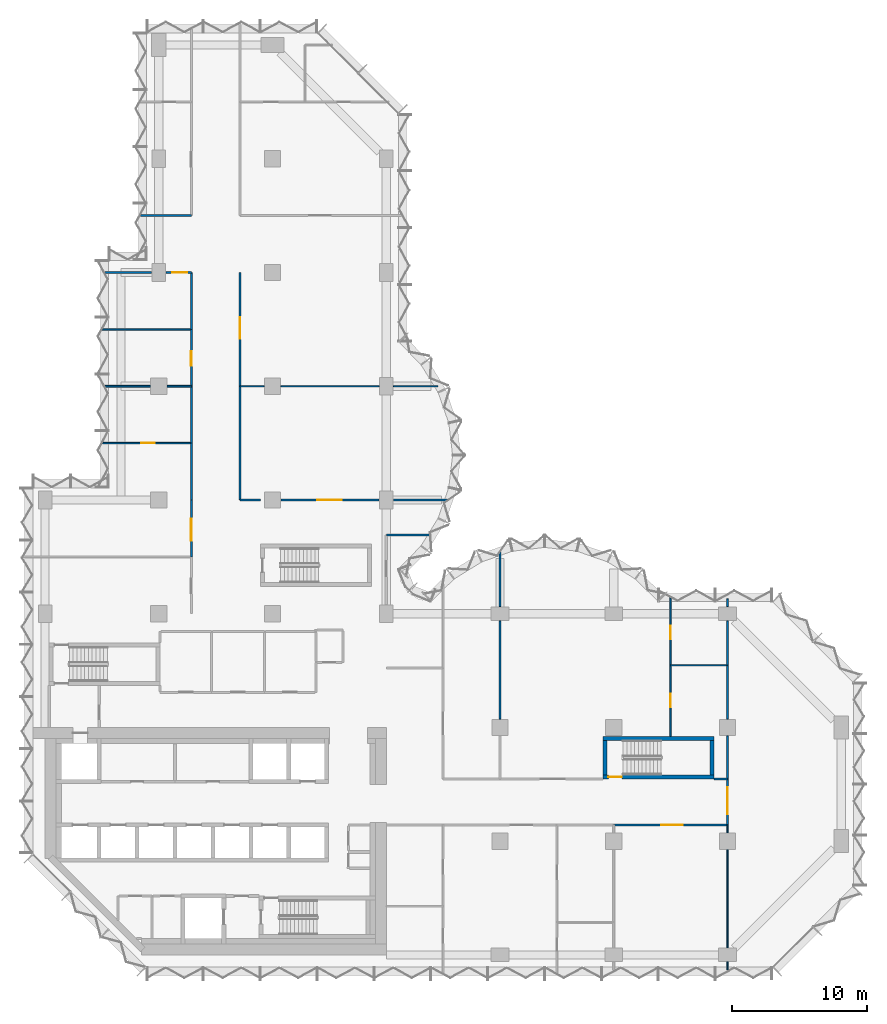
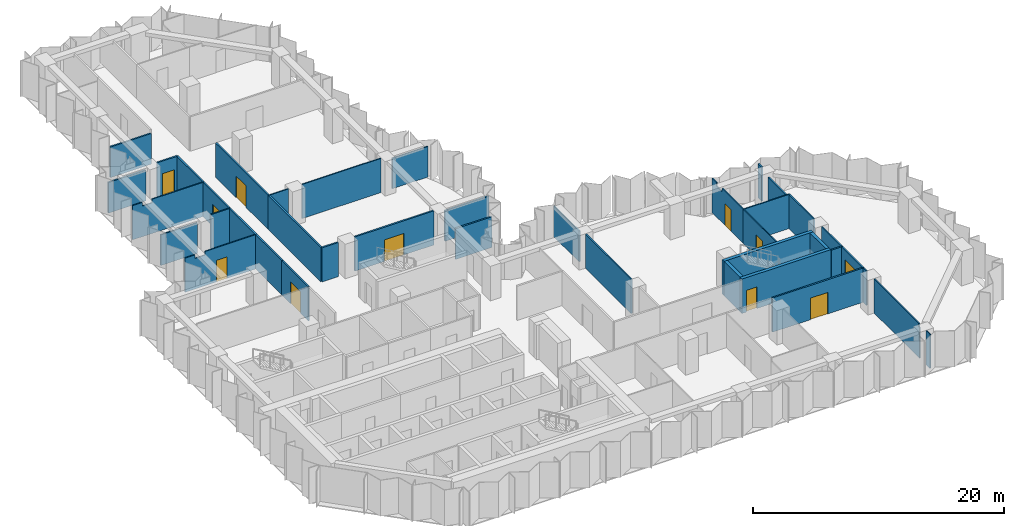
# One storey, part 8 of 11: 40 walls, 11 doors, 11 openings.
"""IFC4 building model written with IfcOpenShell, lengths in metres."""

from ifc_helpers import new_model, si_unit, direction, frame, frame_2d, origin, place, context, subcontext, project, spatial, polyline, rectangle, outline, extrude, material, layer, layer_set, type_object, element, fill, save


model = new_model("IFC4")

# Units and contexts
model_context = context("Model", 3, precision=1e-05, world=origin(), true_north=direction((0.0, 1.0)))
body_context = subcontext(model_context, "Body", "Model", "MODEL_VIEW")
ifc_project = project(units=[si_unit("LENGTHUNIT", "METRE"), si_unit("AREAUNIT", "SQUARE_METRE"), si_unit("VOLUMEUNIT", "CUBIC_METRE"), si_unit("PLANEANGLEUNIT", "RADIAN"), si_unit("MASSUNIT", "GRAM", prefix="KILO")], contexts=[model_context])

# Site, building, storey
site_placement = place(None, origin())
site = spatial("IfcSite", under=ifc_project, at=site_placement, CompositionType="ELEMENT")
building_placement = place(site_placement, origin())
building = spatial("IfcBuilding", under=site, at=building_placement, Name="Brevane Broadcast Tower", CompositionType="ELEMENT")
storey_placement = place(building_placement, frame((0.0, 0.0, 138.5)))
storey = spatial("IfcBuildingStorey", under=building, at=storey_placement, Name="L34", CompositionType="ELEMENT", Elevation=138.5)

# Wall, opening, door
ifc_material_1 = material(Name="Concrete C60/75", Category="concrete")
ifc_layer_1 = layer(ifc_material_1, 0.300048828125)
ifc_layer_set_1 = layer_set([ifc_layer_1], Name="Core wall 300 mm C60/75")
wall_type_1 = type_object("IfcWallType", Name="Core wall 300 mm C60/75", PredefinedType="SHEAR", material=ifc_layer_set_1)
wall_1_placement = place(storey_placement, frame((49.39990234375, 13.14990234375, 0.0), z_axis=(0.0, 0.0, 1.0), x_axis=(-1.0, 0.0, 0.0)))
wall_1 = element("IfcWall", 1, at=wall_1_placement, inside=storey, type_object=wall_type_1, Name="L34 stair wall ST-4-S", PredefinedType="SHEAR", context=body_context, shape_type="SweptSolid", body=[
    extrude(rectangle(XDim=8.199951171875, YDim=0.300048828125, at=frame_2d((4.10009765625, 0.0))), origin(), (0.0, 0.0, 1.0), 3.35009765625),
])
opening_1_placement = place(wall_1_placement, frame((6.800048828125, 0.0, 0.0)))
opening_1 = element("IfcOpeningElement", 2, at=opening_1_placement, cuts=wall_1, Name="Opening L34-K15", PredefinedType="OPENING", context=body_context, shape_type="SweptSolid", body=[
    extrude(rectangle(XDim=1.0, YDim=2.10009765625, at=frame_2d((0.5, 1.050048828125))), frame((0.0, 0.159912109375, 0.0), z_axis=(0.0, -1.0, 0.0), x_axis=(1.0, 0.0, 0.0)), (0.0, 0.0, 1.0), 0.320068359375),
])
ifc_material_2 = material(Name="Steel", Category="steel")
door_type_1 = type_object("IfcDoorType", Name="Stair door 1000 x 2100", OperationType="SINGLE_SWING_LEFT", PredefinedType="DOOR", material=ifc_material_2)
door_1_placement = place(opening_1_placement, origin())
door_1 = element("IfcDoor", 3, at=door_1_placement, inside=storey, type_object=door_type_1, Name="Door L34-K15", OperationType="SINGLE_SWING_LEFT", OverallHeight=2.10009765625, OverallWidth=1.0, PredefinedType="DOOR", context=body_context, shape_type="SweptSolid", body=[
    extrude(rectangle(XDim=1.0, YDim=2.10009765625, at=frame_2d((0.5, 1.050048828125))), frame((0.0, 0.02490234375, 0.0), z_axis=(0.0, -1.0, 0.0), x_axis=(1.0, 0.0, 0.0)), (0.0, 0.0, 1.0), 0.050048828125),
])
fill(opening_1, door_1)

# Walls
wall_2_placement = place(storey_placement, frame((41.199951171875, 16.0, 0.0), z_axis=(0.0, 0.0, 1.0), x_axis=(1.0, 0.0, 0.0)))
element("IfcWall", 4, at=wall_2_placement, inside=storey, type_object=wall_type_1, Name="L34 stair wall ST-4-N", PredefinedType="SHEAR", context=body_context, shape_type="SweptSolid", body=[
    extrude(rectangle(XDim=8.199951171875, YDim=0.300048828125, at=frame_2d((4.10009765625, 0.0))), origin(), (0.0, 0.0, 1.0), 3.35009765625),
])
for number, where, z_axis, x_axis, name in (
    (5, (41.35009765625, 13.300048828125, 0.0), (0.0, 0.0, 1.0), (0.0, 1.0, 0.0), "L34 stair wall ST-4-W"),
    (6, (49.25, 13.300048828125, 0.0), (0.0, 0.0, 1.0), (0.0, 1.0, 0.0), "L34 stair wall ST-4-E"),
):
    element("IfcWall", number, at=place(storey_placement, frame(where, z_axis=z_axis, x_axis=x_axis)), inside=storey, type_object=wall_type_1, Name=name, PredefinedType="SHEAR", context=body_context, shape_type="SweptSolid", body=[
        extrude(rectangle(XDim=2.550048828125, YDim=0.300048828125, at=frame_2d((1.27490234375, 0.0))), origin(), (0.0, 0.0, 1.0), 3.35009765625),
    ])
ifc_material_3 = material(Name="Gypsum board partition")
ifc_layer_2 = layer(ifc_material_3, 0.10009765625)
ifc_layer_set_2 = layer_set([ifc_layer_2], Name="PARTITION 100 STUD")
wall_type_2 = type_object("IfcWallType", Name="PARTITION 100 STUD", PredefinedType="PARTITIONING", material=ifc_layer_set_2)
wall_3_placement = place(storey_placement, frame((50.39990234375, -1.10009765625, 0.0), z_axis=(0.0, 0.0, 1.0), x_axis=(0.0, 1.0, 0.0)))
element("IfcWall", 7, at=wall_3_placement, inside=storey, type_object=wall_type_2, Name="Partition G10-014", PredefinedType="PARTITIONING", context=body_context, shape_type="SweptSolid", body=[
    extrude(rectangle(XDim=0.580078125, YDim=0.10009765625, at=frame_2d((0.2900390625, 0.0))), origin(), (0.0, 0.0, 1.0), 3.330078125),
])
wall_4_placement = place(storey_placement, frame((50.39990234375, 0.52001953125, 0.0), z_axis=(0.0, 0.0, 1.0), x_axis=(0.0, 1.0, 0.0)))
element("IfcWall", 8, at=wall_4_placement, inside=storey, type_object=wall_type_2, Name="Partition G10-015", PredefinedType="PARTITIONING", context=body_context, shape_type="SweptSolid", body=[
    extrude(outline(polyline([(0.0, 0.0), (7.260009765625, 0.0), (7.260009765625, 3.330078125), (0.145751953125, 3.330078125), (0.143798828125, 2.97998046875), (0.0, 2.97998046875), (0.0, 0.0)])), frame((0.0, 0.050048828125, 0.0), z_axis=(0.0, -1.0, 0.0), x_axis=(1.0, 0.0, 0.0)), (0.0, 0.0, 1.0), 0.10009765625),
])
wall_5_placement = place(storey_placement, frame((50.39990234375, 9.02001953125, 0.0), z_axis=(0.0, 0.0, 1.0), x_axis=(0.0, 1.0, 0.0)))
element("IfcWall", 9, at=wall_5_placement, inside=storey, type_object=wall_type_2, Name="Partition G10-016", PredefinedType="PARTITIONING", context=body_context, shape_type="SweptSolid", body=[
    extrude(rectangle(XDim=0.580078125, YDim=0.10009765625, at=frame_2d((0.2900390625, 0.0))), origin(), (0.0, 0.0, 1.0), 3.330078125),
])

# Wall, opening, door
wall_6_placement = place(storey_placement, frame((46.199951171875, 21.39990234375, 0.0), z_axis=(0.0, 0.0, 1.0), x_axis=(0.0, -1.0, 0.0)))
wall_6 = element("IfcWall", 10, at=wall_6_placement, inside=storey, type_object=wall_type_2, Name="Partition G10-034", PredefinedType="PARTITIONING", context=body_context, shape_type="SweptSolid", body=[
    extrude(rectangle(XDim=5.25, YDim=0.10009765625, at=frame_2d((2.625, 0.0))), origin(), (0.0, 0.0, 1.0), 3.330078125),
])
opening_2_placement = place(wall_6_placement, frame((2.10009765625, 0.0, 0.0)))
opening_2 = element("IfcOpeningElement", 11, at=opening_2_placement, cuts=wall_6, Name="Opening D17-011", PredefinedType="OPENING", context=body_context, shape_type="SweptSolid", body=[
    extrude(rectangle(XDim=1.0, YDim=2.10009765625, at=frame_2d((0.5, 1.050048828125))), frame((0.0, 0.06005859375, 0.0), z_axis=(0.0, -1.0, 0.0), x_axis=(1.0, 0.0, 0.0)), (0.0, 0.0, 1.0), 0.1201171875),
])
ifc_material_4 = material(Name="Timber door leaf", Category="wood")
door_type_2 = type_object("IfcDoorType", Name="DOOR SINGLE 1000 INTERNAL", OperationType="SINGLE_SWING_LEFT", PredefinedType="DOOR", material=ifc_material_4)
door_2_placement = place(opening_2_placement, origin())
door_2 = element("IfcDoor", 12, at=door_2_placement, inside=storey, type_object=door_type_2, Name="Door D17-011", OperationType="SINGLE_SWING_LEFT", OverallHeight=2.10009765625, OverallWidth=1.0, PredefinedType="DOOR", context=body_context, shape_type="SweptSolid", body=[
    extrude(rectangle(XDim=1.0, YDim=2.10009765625, at=frame_2d((0.5, 1.050048828125))), frame((0.0, 0.02490234375, 0.0), z_axis=(0.0, -1.0, 0.0), x_axis=(1.0, 0.0, 0.0)), (0.0, 0.0, 1.0), 0.050048828125),
])
fill(opening_2, door_2)

wall_7_placement = place(storey_placement, frame((46.199951171875, 26.3740234375, 0.0), z_axis=(0.0, 0.0, 1.0), x_axis=(0.0, -1.0, 0.0)))
wall_7 = element("IfcWall", 13, at=wall_7_placement, inside=storey, type_object=wall_type_2, Name="Partition G10-035", PredefinedType="PARTITIONING", context=body_context, shape_type="SweptSolid", body=[
    extrude(outline(polyline([(0.0, 0.0), (4.97412109375, 0.0), (4.97412109375, 3.330078125), (1.6240234375, 3.330078125), (1.6220703125, 2.97998046875), (0.72607421875, 2.97998046875), (0.72412109375, 3.330078125), (0.073974609375, 3.330078125), (0.0, 3.330078125), (0.0, 0.0)])), frame((0.0, 0.050048828125, 0.0), z_axis=(0.0, -1.0, 0.0), x_axis=(1.0, 0.0, 0.0)), (0.0, 0.0, 1.0), 0.10009765625),
])
opening_3_placement = place(wall_7_placement, frame((2.073974609375, 0.0, 0.0)))
opening_3 = element("IfcOpeningElement", 14, at=opening_3_placement, cuts=wall_7, Name="Opening D17-012", PredefinedType="OPENING", context=body_context, shape_type="SweptSolid", body=[
    extrude(rectangle(XDim=1.0, YDim=2.10009765625, at=frame_2d((0.5, 1.050048828125))), frame((0.0, 0.06005859375, 0.0), z_axis=(0.0, -1.0, 0.0), x_axis=(1.0, 0.0, 0.0)), (0.0, 0.0, 1.0), 0.1201171875),
])
door_3_placement = place(opening_3_placement, origin())
door_3 = element("IfcDoor", 15, at=door_3_placement, inside=storey, type_object=door_type_2, Name="Door D17-012", OperationType="SINGLE_SWING_LEFT", OverallHeight=2.10009765625, OverallWidth=1.0, PredefinedType="DOOR", context=body_context, shape_type="SweptSolid", body=[
    extrude(rectangle(XDim=1.0, YDim=2.10009765625, at=frame_2d((0.5, 1.050048828125))), frame((0.0, 0.02490234375, 0.0), z_axis=(0.0, -1.0, 0.0), x_axis=(1.0, 0.0, 0.0)), (0.0, 0.0, 1.0), 0.050048828125),
])
fill(opening_3, door_3)

# Wall
wall_8_placement = place(storey_placement, frame((46.199951171875, 21.39990234375, 0.0), z_axis=(0.0, 0.0, 1.0), x_axis=(1.0, 0.0, 0.0)))
element("IfcWall", 16, at=wall_8_placement, inside=storey, type_object=wall_type_2, Name="Partition G10-036", PredefinedType="PARTITIONING", context=body_context, shape_type="SweptSolid", body=[
    extrude(rectangle(XDim=4.199951171875, YDim=0.10009765625, at=frame_2d((2.10009765625, 0.0))), origin(), (0.0, 0.0, 1.0), 3.330078125),
])

# Wall, opening, door
wall_9_placement = place(storey_placement, frame((4.235107421875, 37.800048828125, 0.0), z_axis=(0.0, 0.0, 1.0), x_axis=(1.0, 0.0, 0.0)))
wall_9 = element("IfcWall", 17, at=wall_9_placement, inside=storey, type_object=wall_type_2, Name="Partition G10-056", PredefinedType="PARTITIONING", context=body_context, shape_type="SweptSolid", body=[
    extrude(outline(polyline([(0.0, 0.0), (6.56494140625, 0.0), (6.56494140625, 3.330078125), (1.81494140625, 3.330078125), (1.81298828125, 2.97998046875), (0.9169921875, 2.97998046875), (0.9150390625, 3.330078125), (0.264892578125, 3.330078125), (0.0, 3.330078125), (0.0, 0.0)])), frame((0.0, 0.050048828125, 0.0), z_axis=(0.0, -1.0, 0.0), x_axis=(1.0, 0.0, 0.0)), (0.0, 0.0, 1.0), 0.10009765625),
])
opening_4_placement = place(wall_9_placement, frame((2.864990234375, 0.0, 0.0)))
opening_4 = element("IfcOpeningElement", 18, at=opening_4_placement, cuts=wall_9, Name="Opening D17-015", PredefinedType="OPENING", context=body_context, shape_type="SweptSolid", body=[
    extrude(rectangle(XDim=1.0, YDim=2.10009765625, at=frame_2d((0.5, 1.050048828125))), frame((0.0, 0.06005859375, 0.0), z_axis=(0.0, -1.0, 0.0), x_axis=(1.0, 0.0, 0.0)), (0.0, 0.0, 1.0), 0.1201171875),
])
door_4_placement = place(opening_4_placement, origin())
door_4 = element("IfcDoor", 19, at=door_4_placement, inside=storey, type_object=door_type_2, Name="Door D17-015", OperationType="SINGLE_SWING_LEFT", OverallHeight=2.10009765625, OverallWidth=1.0, PredefinedType="DOOR", context=body_context, shape_type="SweptSolid", body=[
    extrude(rectangle(XDim=1.0, YDim=2.10009765625, at=frame_2d((0.5, 1.050048828125))), frame((0.0, 0.02490234375, 0.0), z_axis=(0.0, -1.0, 0.0), x_axis=(1.0, 0.0, 0.0)), (0.0, 0.0, 1.0), 0.050048828125),
])
fill(opening_4, door_4)

# Walls
wall_10_placement = place(storey_placement, frame((4.235107421875, 46.199951171875, 0.0), z_axis=(0.0, 0.0, 1.0), x_axis=(1.0, 0.0, 0.0)))
element("IfcWall", 20, at=wall_10_placement, inside=storey, type_object=wall_type_2, Name="Partition G10-059", PredefinedType="PARTITIONING", context=body_context, shape_type="SweptSolid", body=[
    extrude(outline(polyline([(0.0, 0.0), (6.56494140625, 0.0), (6.56494140625, 3.330078125), (1.81494140625, 3.330078125), (1.81298828125, 2.97998046875), (0.9169921875, 2.97998046875), (0.9150390625, 3.330078125), (0.264892578125, 3.330078125), (0.0, 3.330078125), (0.0, 0.0)])), frame((0.0, 0.050048828125, 0.0), z_axis=(0.0, -1.0, 0.0), x_axis=(1.0, 0.0, 0.0)), (0.0, 0.0, 1.0), 0.10009765625),
])
wall_11_placement = place(storey_placement, frame((14.39990234375, 42.0, 0.0), z_axis=(0.0, 0.0, 1.0), x_axis=(1.0, 0.0, 0.0)))
element("IfcWall", 21, at=wall_11_placement, inside=storey, type_object=wall_type_2, Name="Partition G10-062", PredefinedType="PARTITIONING", context=body_context, shape_type="SweptSolid", body=[
    extrude(rectangle(XDim=1.780029296875, YDim=0.10009765625, at=frame_2d((0.89013671875, 0.0))), origin(), (0.0, 0.0, 1.0), 3.330078125),
])
wall_12_placement = place(storey_placement, frame((17.419921875, 42.0, 0.0), z_axis=(0.0, 0.0, 1.0), x_axis=(1.0, 0.0, 0.0)))
element("IfcWall", 22, at=wall_12_placement, inside=storey, type_object=wall_type_2, Name="Partition G10-063", PredefinedType="PARTITIONING", context=body_context, shape_type="SweptSolid", body=[
    extrude(rectangle(XDim=7.260009765625, YDim=0.10009765625, at=frame_2d((3.6298828125, 0.0))), origin(), (0.0, 0.0, 1.0), 3.330078125),
])
wall_13_placement = place(storey_placement, frame((25.719970703125, 42.0, 0.0), z_axis=(0.0, 0.0, 1.0), x_axis=(1.0, 0.0, 0.0)))
element("IfcWall", 23, at=wall_13_placement, inside=storey, type_object=wall_type_2, Name="Partition G10-064", PredefinedType="PARTITIONING", context=body_context, shape_type="SweptSolid", body=[
    extrude(rectangle(XDim=3.29150390625, YDim=0.10009765625, at=frame_2d((1.645751953125, 0.0))), origin(), (0.0, 0.0, 1.0), 2.97998046875),
])
ifc_layer_3 = layer(ifc_material_3, 0.125)
ifc_layer_set_3 = layer_set([ifc_layer_3], Name="PARTITION 125 ACOUSTIC")
wall_type_3 = type_object("IfcWallType", Name="PARTITION 125 ACOUSTIC", PredefinedType="PARTITIONING", material=ifc_layer_set_3)
wall_14_placement = place(storey_placement, frame((50.39990234375, 13.0, 0.0), z_axis=(0.0, 0.0, 1.0), x_axis=(0.0, 1.0, 0.0)))
element("IfcWall", 24, at=wall_14_placement, inside=storey, type_object=wall_type_3, Name="Partition G10-017", PredefinedType="PARTITIONING", context=body_context, shape_type="SweptSolid", body=[
    extrude(rectangle(XDim=3.179931640625, YDim=0.125, at=frame_2d((1.58984375, 0.0))), origin(), (0.0, 0.0, 1.0), 3.330078125),
])
wall_15_placement = place(storey_placement, frame((50.39990234375, 17.419921875, 0.0), z_axis=(0.0, 0.0, 1.0), x_axis=(0.0, 1.0, 0.0)))
element("IfcWall", 25, at=wall_15_placement, inside=storey, type_object=wall_type_3, Name="Partition G10-018", PredefinedType="PARTITIONING", context=body_context, shape_type="SweptSolid", body=[
    extrude(rectangle(XDim=3.97998046875, YDim=0.125, at=frame_2d((1.989990234375, 0.0))), origin(), (0.0, 0.0, 1.0), 3.330078125),
])
wall_16_placement = place(storey_placement, frame((50.39990234375, 21.39990234375, 0.0), z_axis=(0.0, 0.0, 1.0), x_axis=(0.0, 1.0, 0.0)))
element("IfcWall", 26, at=wall_16_placement, inside=storey, type_object=wall_type_3, Name="Partition G10-019", PredefinedType="PARTITIONING", context=body_context, shape_type="SweptSolid", body=[
    extrude(rectangle(XDim=3.280029296875, YDim=0.125, at=frame_2d((1.64013671875, 0.0))), origin(), (0.0, 0.0, 1.0), 2.97998046875),
])
wall_17_placement = place(storey_placement, frame((50.39990234375, 25.719970703125, 0.0), z_axis=(0.0, 0.0, 1.0), x_axis=(0.0, 1.0, 0.0)))
element("IfcWall", 27, at=wall_17_placement, inside=storey, type_object=wall_type_3, Name="Partition G10-020", PredefinedType="PARTITIONING", context=body_context, shape_type="SweptSolid", body=[
    extrude(rectangle(XDim=0.580078125, YDim=0.125, at=frame_2d((0.2900390625, 0.0))), origin(), (0.0, 0.0, 1.0), 3.330078125),
])
wall_18_placement = place(storey_placement, frame((33.60009765625, 29.761962890625, 0.0), z_axis=(0.0, 0.0, 1.0), x_axis=(0.0, -1.0, 0.0)))
element("IfcWall", 28, at=wall_18_placement, inside=storey, type_object=wall_type_3, Name="Partition G10-031", PredefinedType="PARTITIONING", context=body_context, shape_type="SweptSolid", body=[
    extrude(rectangle(XDim=4.0419921875, YDim=0.125, at=frame_2d((2.02099609375, 0.0))), origin(), (0.0, 0.0, 1.0), 2.97998046875),
])
wall_19_placement = place(storey_placement, frame((33.60009765625, 24.679931640625, 0.0), z_axis=(0.0, 0.0, 1.0), x_axis=(0.0, -1.0, 0.0)))
element("IfcWall", 29, at=wall_19_placement, inside=storey, type_object=wall_type_3, Name="Partition G10-032", PredefinedType="PARTITIONING", context=body_context, shape_type="SweptSolid", body=[
    extrude(rectangle(XDim=7.260009765625, YDim=0.125, at=frame_2d((3.6298828125, 0.0))), origin(), (0.0, 0.0, 1.0), 3.330078125),
])
wall_20_placement = place(storey_placement, frame((4.426025390625, 42.0, 0.0), z_axis=(0.0, 0.0, 1.0), x_axis=(1.0, 0.0, 0.0)))
element("IfcWall", 30, at=wall_20_placement, inside=storey, type_object=wall_type_3, Name="Partition G10-057", PredefinedType="PARTITIONING", context=body_context, shape_type="SweptSolid", body=[
    extrude(rectangle(XDim=3.35400390625, YDim=0.125, at=frame_2d((1.677001953125, 0.0))), origin(), (0.0, 0.0, 1.0), 2.97998046875),
])
wall_21_placement = place(storey_placement, frame((9.02001953125, 42.0, 0.0), z_axis=(0.0, 0.0, 1.0), x_axis=(1.0, 0.0, 0.0)))
element("IfcWall", 31, at=wall_21_placement, inside=storey, type_object=wall_type_3, Name="Partition G10-058", PredefinedType="PARTITIONING", context=body_context, shape_type="SweptSolid", body=[
    extrude(rectangle(XDim=1.780029296875, YDim=0.125, at=frame_2d((0.89013671875, 0.0))), origin(), (0.0, 0.0, 1.0), 3.330078125),
])
ifc_layer_4 = layer(ifc_material_3, 0.14990234375)
ifc_layer_set_4 = layer_set([ifc_layer_4], Name="PARTITION 150 EI 60")
wall_type_4 = type_object("IfcWallType", Name="PARTITION 150 EI 60", PredefinedType="PARTITIONING", material=ifc_layer_set_4)
wall_22_placement = place(storey_placement, frame((25.199951171875, 31.0, 0.0), z_axis=(0.0, 0.0, 1.0), x_axis=(1.0, 0.0, 0.0)))
element("IfcWall", 32, at=wall_22_placement, inside=storey, type_object=wall_type_4, Name="Partition G10-006", PredefinedType="PARTITIONING", context=body_context, shape_type="SweptSolid", body=[
    extrude(rectangle(XDim=3.32421875, YDim=0.14990234375, at=frame_2d((1.662109375, 0.0))), origin(), (0.0, 0.0, 1.0), 2.97998046875),
])

# Wall, opening, door
wall_23_placement = place(storey_placement, frame((50.39990234375, 13.0, 0.0), z_axis=(0.0, 0.0, 1.0), x_axis=(0.0, -1.0, 0.0)))
wall_23 = element("IfcWall", 33, at=wall_23_placement, inside=storey, type_object=wall_type_4, Name="Partition G10-007", PredefinedType="PARTITIONING", context=body_context, shape_type="SweptSolid", body=[
    extrude(rectangle(XDim=3.39990234375, YDim=0.14990234375, at=frame_2d((1.699951171875, 0.0))), origin(), (0.0, 0.0, 1.0), 3.330078125),
])
opening_5_placement = place(wall_23_placement, frame((0.60009765625, 0.0, 0.0)))
opening_5 = element("IfcOpeningElement", 34, at=opening_5_placement, cuts=wall_23, Name="Opening D17-002", PredefinedType="OPENING", context=body_context, shape_type="SweptSolid", body=[
    extrude(rectangle(XDim=2.0, YDim=2.39990234375, at=frame_2d((1.0, 1.199951171875))), frame((0.0, 0.0849609375, 0.0), z_axis=(0.0, -1.0, 0.0), x_axis=(1.0, 0.0, 0.0)), (0.0, 0.0, 1.0), 0.169921875),
])
ifc_material_5 = material(Name="Fire-rated timber door leaf", Category="wood")
door_type_3 = type_object("IfcDoorType", Name="DOOR DOUBLE 2000 FD30S", OperationType="DOUBLE_DOOR_SINGLE_SWING", PredefinedType="DOOR", material=ifc_material_5)
door_5_placement = place(opening_5_placement, origin())
door_5 = element("IfcDoor", 35, at=door_5_placement, inside=storey, type_object=door_type_3, Name="Door D17-002", OperationType="DOUBLE_DOOR_SINGLE_SWING", OverallHeight=2.39990234375, OverallWidth=2.0, PredefinedType="DOOR", context=body_context, shape_type="SweptSolid", body=[
    extrude(rectangle(XDim=2.0, YDim=2.39990234375, at=frame_2d((1.0, 1.199951171875))), frame((0.0, 0.02490234375, 0.0), z_axis=(0.0, -1.0, 0.0), x_axis=(1.0, 0.0, 0.0)), (0.0, 0.0, 1.0), 0.050048828125),
])
fill(opening_5, door_5)

wall_24_placement = place(storey_placement, frame((50.39990234375, 9.60009765625, 0.0), z_axis=(0.0, 0.0, 1.0), x_axis=(-1.0, 0.0, 0.0)))
wall_24 = element("IfcWall", 36, at=wall_24_placement, inside=storey, type_object=wall_type_4, Name="Partition G10-010", PredefinedType="PARTITIONING", context=body_context, shape_type="SweptSolid", body=[
    extrude(rectangle(XDim=8.39990234375, YDim=0.14990234375, at=frame_2d((4.199951171875, 0.0))), origin(), (0.0, 0.0, 1.0), 3.330078125),
])
opening_6_placement = place(wall_24_placement, frame((3.300048828125, 0.0, 0.0)))
opening_6 = element("IfcOpeningElement", 37, at=opening_6_placement, cuts=wall_24, Name="Opening D17-008", PredefinedType="OPENING", context=body_context, shape_type="SweptSolid", body=[
    extrude(rectangle(XDim=1.60009765625, YDim=2.10009765625, at=frame_2d((0.800048828125, 1.050048828125))), frame((0.0, 0.0849609375, 0.0), z_axis=(0.0, -1.0, 0.0), x_axis=(1.0, 0.0, 0.0)), (0.0, 0.0, 1.0), 0.169921875),
])
door_type_4 = type_object("IfcDoorType", Name="DOOR DOUBLE 1600 FD30S", OperationType="DOUBLE_DOOR_SINGLE_SWING", PredefinedType="DOOR", material=ifc_material_5)
door_6_placement = place(opening_6_placement, origin())
door_6 = element("IfcDoor", 38, at=door_6_placement, inside=storey, type_object=door_type_4, Name="Door D17-008", OperationType="DOUBLE_DOOR_SINGLE_SWING", OverallHeight=2.10009765625, OverallWidth=1.60009765625, PredefinedType="DOOR", context=body_context, shape_type="SweptSolid", body=[
    extrude(rectangle(XDim=1.60009765625, YDim=2.10009765625, at=frame_2d((0.800048828125, 1.050048828125))), frame((0.0, 0.02490234375, 0.0), z_axis=(0.0, -1.0, 0.0), x_axis=(1.0, 0.0, 0.0)), (0.0, 0.0, 1.0), 0.050048828125),
])
fill(opening_6, door_6)

# Wall
wall_25_placement = place(storey_placement, frame((49.39990234375, 13.0, 0.0), z_axis=(0.0, 0.0, 1.0), x_axis=(1.0, 0.0, 0.0)))
element("IfcWall", 39, at=wall_25_placement, inside=storey, type_object=wall_type_4, Name="Partition G10-013", PredefinedType="PARTITIONING", context=body_context, shape_type="SweptSolid", body=[
    extrude(rectangle(XDim=1.0, YDim=0.14990234375, at=frame_2d((0.5, 0.0))), origin(), (0.0, 0.0, 1.0), 3.330078125),
])

# Wall, opening, door
wall_26_placement = place(storey_placement, frame((10.800048828125, 29.39990234375, 0.0), z_axis=(0.0, 0.0, 1.0), x_axis=(0.0, 1.0, 0.0)))
wall_26 = element("IfcWall", 40, at=wall_26_placement, inside=storey, type_object=wall_type_4, Name="Partition G10-038", PredefinedType="PARTITIONING", context=body_context, shape_type="SweptSolid", body=[
    extrude(rectangle(XDim=4.2001953125, YDim=0.14990234375, at=frame_2d((2.10009765625, 0.0))), origin(), (0.0, 0.0, 1.0), 3.330078125),
])
opening_7_placement = place(wall_26_placement, frame((1.199951171875, 0.0, 0.0)))
opening_7 = element("IfcOpeningElement", 41, at=opening_7_placement, cuts=wall_26, Name="Opening D17-014", PredefinedType="OPENING", context=body_context, shape_type="SweptSolid", body=[
    extrude(rectangle(XDim=1.60009765625, YDim=2.10009765625, at=frame_2d((0.800048828125, 1.050048828125))), frame((0.0, 0.0849609375, 0.0), z_axis=(0.0, -1.0, 0.0), x_axis=(1.0, 0.0, 0.0)), (0.0, 0.0, 1.0), 0.169921875),
])
door_7_placement = place(opening_7_placement, origin())
door_7 = element("IfcDoor", 42, at=door_7_placement, inside=storey, type_object=door_type_4, Name="Door D17-014", OperationType="DOUBLE_DOOR_SINGLE_SWING", OverallHeight=2.10009765625, OverallWidth=1.60009765625, PredefinedType="DOOR", context=body_context, shape_type="SweptSolid", body=[
    extrude(rectangle(XDim=1.60009765625, YDim=2.10009765625, at=frame_2d((0.800048828125, 1.050048828125))), frame((0.0, 0.02490234375, 0.0), z_axis=(0.0, -1.0, 0.0), x_axis=(1.0, 0.0, 0.0)), (0.0, 0.0, 1.0), 0.050048828125),
])
fill(opening_7, door_7)

# Wall
wall_27_placement = place(storey_placement, frame((14.39990234375, 33.60009765625, 0.0), z_axis=(0.0, 0.0, 1.0), x_axis=(1.0, 0.0, 0.0)))
element("IfcWall", 43, at=wall_27_placement, inside=storey, type_object=wall_type_4, Name="Partition G10-039", PredefinedType="PARTITIONING", context=body_context, shape_type="SweptSolid", body=[
    extrude(rectangle(XDim=1.5, YDim=0.14990234375, at=frame_2d((0.75, 0.0))), origin(), (0.0, 0.0, 1.0), 3.330078125),
])

# Wall, opening, door
wall_28_placement = place(storey_placement, frame((17.419921875, 33.60009765625, 0.0), z_axis=(0.0, 0.0, 1.0), x_axis=(1.0, 0.0, 0.0)))
wall_28 = element("IfcWall", 44, at=wall_28_placement, inside=storey, type_object=wall_type_4, Name="Partition G10-040", PredefinedType="PARTITIONING", context=body_context, shape_type="SweptSolid", body=[
    extrude(rectangle(XDim=7.260009765625, YDim=0.14990234375, at=frame_2d((3.6298828125, 0.0))), origin(), (0.0, 0.0, 1.0), 3.330078125),
])
opening_8_placement = place(wall_28_placement, frame((2.699951171875, 0.0, 0.0)))
opening_8 = element("IfcOpeningElement", 45, at=opening_8_placement, cuts=wall_28, Name="Opening D17-020", PredefinedType="OPENING", context=body_context, shape_type="SweptSolid", body=[
    extrude(rectangle(XDim=1.800048828125, YDim=2.10009765625, at=frame_2d((0.89990234375, 1.050048828125))), frame((0.0, 0.0849609375, 0.0), z_axis=(0.0, -1.0, 0.0), x_axis=(1.0, 0.0, 0.0)), (0.0, 0.0, 1.0), 0.169921875),
])
door_type_5 = type_object("IfcDoorType", Name="DOOR DOUBLE 1800 FD30S", OperationType="DOUBLE_DOOR_SINGLE_SWING", PredefinedType="DOOR", material=ifc_material_5)
door_8_placement = place(opening_8_placement, origin())
door_8 = element("IfcDoor", 46, at=door_8_placement, inside=storey, type_object=door_type_5, Name="Door D17-020", OperationType="DOUBLE_DOOR_SINGLE_SWING", OverallHeight=2.10009765625, OverallWidth=1.800048828125, PredefinedType="DOOR", context=body_context, shape_type="SweptSolid", body=[
    extrude(rectangle(XDim=1.800048828125, YDim=2.10009765625, at=frame_2d((0.89990234375, 1.050048828125))), frame((0.0, 0.02490234375, 0.0), z_axis=(0.0, -1.0, 0.0), x_axis=(1.0, 0.0, 0.0)), (0.0, 0.0, 1.0), 0.050048828125),
])
fill(opening_8, door_8)

# Walls
wall_29_placement = place(storey_placement, frame((25.719970703125, 33.60009765625, 0.0), z_axis=(0.0, 0.0, 1.0), x_axis=(1.0, 0.0, 0.0)))
element("IfcWall", 47, at=wall_29_placement, inside=storey, type_object=wall_type_4, Name="Partition G10-041", PredefinedType="PARTITIONING", context=body_context, shape_type="SweptSolid", body=[
    extrude(rectangle(XDim=4.0419921875, YDim=0.14990234375, at=frame_2d((2.02099609375, 0.0))), origin(), (0.0, 0.0, 1.0), 2.97998046875),
])
for number, where, z_axis, x_axis, name in (
    (48, (10.800048828125, 33.60009765625, 0.0), (0.0, 0.0, 1.0), (0.0, 1.0, 0.0), "Partition G10-042"),
    (49, (10.800048828125, 37.800048828125, 0.0), (0.0, 0.0, 1.0), (0.0, 1.0, 0.0), "Partition G10-043"),
):
    element("IfcWall", number, at=place(storey_placement, frame(where, z_axis=z_axis, x_axis=x_axis)), inside=storey, type_object=wall_type_4, Name=name, PredefinedType="PARTITIONING", context=body_context, shape_type="SweptSolid", body=[
        extrude(rectangle(XDim=4.199951171875, YDim=0.14990234375, at=frame_2d((2.10009765625, 0.0))), origin(), (0.0, 0.0, 1.0), 3.330078125),
    ])

# Wall, opening, door
wall_30_placement = place(storey_placement, frame((10.800048828125, 42.0, 0.0), z_axis=(0.0, 0.0, 1.0), x_axis=(0.0, 1.0, 0.0)))
wall_30 = element("IfcWall", 50, at=wall_30_placement, inside=storey, type_object=wall_type_4, Name="Partition G10-044", PredefinedType="PARTITIONING", context=body_context, shape_type="SweptSolid", body=[
    extrude(rectangle(XDim=4.199951171875, YDim=0.14990234375, at=frame_2d((2.10009765625, 0.0))), origin(), (0.0, 0.0, 1.0), 3.330078125),
])
opening_9_placement = place(wall_30_placement, frame((1.5, 0.0, 0.0)))
opening_9 = element("IfcOpeningElement", 51, at=opening_9_placement, cuts=wall_30, Name="Opening D17-016", PredefinedType="OPENING", context=body_context, shape_type="SweptSolid", body=[
    extrude(rectangle(XDim=1.10009765625, YDim=2.10009765625, at=frame_2d((0.550048828125, 1.050048828125))), frame((0.0, 0.0849609375, 0.0), z_axis=(0.0, -1.0, 0.0), x_axis=(1.0, 0.0, 0.0)), (0.0, 0.0, 1.0), 0.169921875),
])
door_type_6 = type_object("IfcDoorType", Name="DOOR SINGLE 1100 FD30S", OperationType="SINGLE_SWING_LEFT", PredefinedType="DOOR", material=ifc_material_5)
door_9_placement = place(opening_9_placement, origin())
door_9 = element("IfcDoor", 52, at=door_9_placement, inside=storey, type_object=door_type_6, Name="Door D17-016", OperationType="SINGLE_SWING_LEFT", OverallHeight=2.10009765625, OverallWidth=1.10009765625, PredefinedType="DOOR", context=body_context, shape_type="SweptSolid", body=[
    extrude(rectangle(XDim=1.10009765625, YDim=2.10009765625, at=frame_2d((0.550048828125, 1.050048828125))), frame((0.0, 0.02490234375, 0.0), z_axis=(0.0, -1.0, 0.0), x_axis=(1.0, 0.0, 0.0)), (0.0, 0.0, 1.0), 0.050048828125),
])
fill(opening_9, door_9)

# Walls
wall_31_placement = place(storey_placement, frame((10.800048828125, 46.199951171875, 0.0), z_axis=(0.0, 0.0, 1.0), x_axis=(0.0, 1.0, 0.0)))
element("IfcWall", 53, at=wall_31_placement, inside=storey, type_object=wall_type_4, Name="Partition G10-045", PredefinedType="PARTITIONING", context=body_context, shape_type="SweptSolid", body=[
    extrude(rectangle(XDim=4.199951171875, YDim=0.14990234375, at=frame_2d((2.10009765625, 0.0))), origin(), (0.0, 0.0, 1.0), 3.330078125),
])
wall_32_placement = place(storey_placement, frame((14.39990234375, 42.0, 0.0), z_axis=(0.0, 0.0, 1.0), x_axis=(0.0, -1.0, 0.0)))
element("IfcWall", 54, at=wall_32_placement, inside=storey, type_object=wall_type_4, Name="Partition G10-048", PredefinedType="PARTITIONING", context=body_context, shape_type="SweptSolid", body=[
    extrude(rectangle(XDim=8.39990234375, YDim=0.14990234375, at=frame_2d((4.199951171875, 0.0))), origin(), (0.0, 0.0, 1.0), 3.330078125),
])

# Wall, opening, door
wall_33_placement = place(storey_placement, frame((14.39990234375, 50.39990234375, 0.0), z_axis=(0.0, 0.0, 1.0), x_axis=(0.0, -1.0, 0.0)))
wall_33 = element("IfcWall", 55, at=wall_33_placement, inside=storey, type_object=wall_type_4, Name="Partition G10-049", PredefinedType="PARTITIONING", context=body_context, shape_type="SweptSolid", body=[
    extrude(rectangle(XDim=8.39990234375, YDim=0.14990234375, at=frame_2d((4.199951171875, 0.0))), origin(), (0.0, 0.0, 1.0), 3.330078125),
])
opening_10_placement = place(wall_33_placement, frame((3.300048828125, 0.0, 0.0)))
opening_10 = element("IfcOpeningElement", 56, at=opening_10_placement, cuts=wall_33, Name="Opening D17-021", PredefinedType="OPENING", context=body_context, shape_type="SweptSolid", body=[
    extrude(rectangle(XDim=1.60009765625, YDim=2.10009765625, at=frame_2d((0.800048828125, 1.050048828125))), frame((0.0, 0.0849609375, 0.0), z_axis=(0.0, -1.0, 0.0), x_axis=(1.0, 0.0, 0.0)), (0.0, 0.0, 1.0), 0.169921875),
])
door_10_placement = place(opening_10_placement, origin())
door_10 = element("IfcDoor", 57, at=door_10_placement, inside=storey, type_object=door_type_4, Name="Door D17-021", OperationType="DOUBLE_DOOR_SINGLE_SWING", OverallHeight=2.10009765625, OverallWidth=1.60009765625, PredefinedType="DOOR", context=body_context, shape_type="SweptSolid", body=[
    extrude(rectangle(XDim=1.60009765625, YDim=2.10009765625, at=frame_2d((0.800048828125, 1.050048828125))), frame((0.0, 0.02490234375, 0.0), z_axis=(0.0, -1.0, 0.0), x_axis=(1.0, 0.0, 0.0)), (0.0, 0.0, 1.0), 0.050048828125),
])
fill(opening_10, door_10)

wall_34_placement = place(storey_placement, frame((10.800048828125, 50.39990234375, 0.0), z_axis=(0.0, 0.0, 1.0), x_axis=(-1.0, 0.0, 0.0)))
wall_34 = element("IfcWall", 58, at=wall_34_placement, inside=storey, type_object=wall_type_4, Name="Partition G10-052", PredefinedType="PARTITIONING", context=body_context, shape_type="SweptSolid", body=[
    extrude(rectangle(XDim=1.880126953125, YDim=0.14990234375, at=frame_2d((0.93994140625, 0.0))), origin(), (0.0, 0.0, 1.0), 3.330078125),
])
opening_11_placement = place(wall_34_placement, frame((0.300048828125, 0.0, 0.0)))
opening_11 = element("IfcOpeningElement", 59, at=opening_11_placement, cuts=wall_34, Name="Opening D17-017", PredefinedType="OPENING", context=body_context, shape_type="SweptSolid", body=[
    extrude(rectangle(XDim=1.10009765625, YDim=2.10009765625, at=frame_2d((0.550048828125, 1.050048828125))), frame((0.0, 0.0849609375, 0.0), z_axis=(0.0, -1.0, 0.0), x_axis=(1.0, 0.0, 0.0)), (0.0, 0.0, 1.0), 0.169921875),
])
door_11_placement = place(opening_11_placement, origin())
door_11 = element("IfcDoor", 60, at=door_11_placement, inside=storey, type_object=door_type_6, Name="Door D17-017", OperationType="SINGLE_SWING_LEFT", OverallHeight=2.10009765625, OverallWidth=1.10009765625, PredefinedType="DOOR", context=body_context, shape_type="SweptSolid", body=[
    extrude(rectangle(XDim=1.10009765625, YDim=2.10009765625, at=frame_2d((0.550048828125, 1.050048828125))), frame((0.0, 0.02490234375, 0.0), z_axis=(0.0, -1.0, 0.0), x_axis=(1.0, 0.0, 0.0)), (0.0, 0.0, 1.0), 0.050048828125),
])
fill(opening_11, door_11)

# Walls
wall_35_placement = place(storey_placement, frame((7.8798828125, 50.39990234375, 0.0), z_axis=(0.0, 0.0, 1.0), x_axis=(-1.0, 0.0, 0.0)))
element("IfcWall", 61, at=wall_35_placement, inside=storey, type_object=wall_type_4, Name="Partition G10-053", PredefinedType="PARTITIONING", context=body_context, shape_type="SweptSolid", body=[
    extrude(rectangle(XDim=3.453857421875, YDim=0.14990234375, at=frame_2d((1.72705078125, 0.0))), origin(), (0.0, 0.0, 1.0), 2.97998046875),
])
wall_36_placement = place(storey_placement, frame((7.034912109375, 54.60009765625, 0.0), z_axis=(0.0, 0.0, 1.0), x_axis=(1.0, 0.0, 0.0)))
element("IfcWall", 62, at=wall_36_placement, inside=storey, type_object=wall_type_4, Name="Partition G10-054", PredefinedType="PARTITIONING", context=body_context, shape_type="SweptSolid", body=[
    extrude(rectangle(XDim=3.76513671875, YDim=0.14990234375, at=frame_2d((1.882568359375, 0.0))), origin(), (0.0, 0.0, 1.0), 2.97998046875),
])

save(model, "model.ifc")
